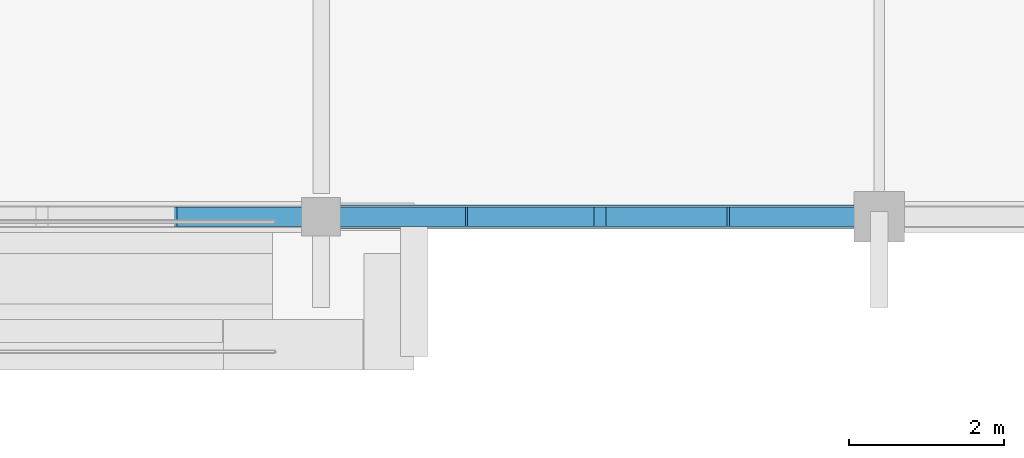
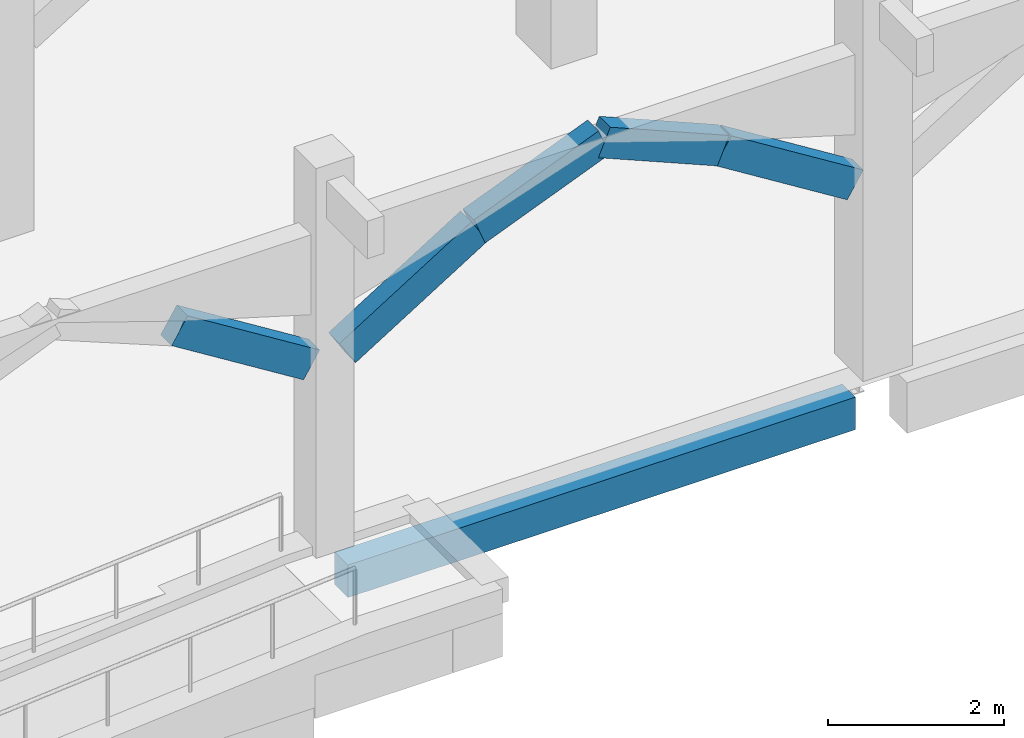
# One storey, part 27 of 110: 5 members, 1 beam.
"""IFC4 building model written with IfcOpenShell, lengths in metres."""

import ifcopenshell
import ifcopenshell.guid

model = None  # the IFC model being written
_history = None  # IfcOwnerHistory: only IFC2X3 demands one
_inside = {}  # id of a spatial element -> (the spatial element, [elements in it])
_under = {}  # id of a project, library or spatial element -> (it, [spatial elements below it])
_declared = {}  # id of a project -> (the project, [libraries it declares])
_typed = {}  # id of a type object -> (the type object, [elements of that type])
_made_of = {}  # id of a material, layer set ... -> (it, [elements and type objects made of it])


def new_model(schema):
    """Start an empty IFC model of exactly this schema.

    Asked for "IFC4X3", IfcOpenShell would pick the latest addendum, in which some entities
    have other attributes; the version numbers below select the first issue.
    IFC2X3 requires an IfcOwnerHistory on every rooted entity: one is made here for all.
    """
    global model, _history
    if schema == "IFC4X3":
        model = ifcopenshell.file(schema_version=(4, 3, 0, 0))
    else:
        model = ifcopenshell.file(schema=schema)
    _inside.clear()
    _under.clear()
    _declared.clear()
    _typed.clear()
    _made_of.clear()
    _history = None
    if model.schema == "IFC2X3":
        org = make("IfcOrganization", Name="unknown")
        user = make(
            "IfcPersonAndOrganization",
            ThePerson=make("IfcPerson", FamilyName="unknown"),
            TheOrganization=org,
        )
        app = make(
            "IfcApplication",
            ApplicationDeveloper=org,
            Version="unknown",
            ApplicationFullName="unknown",
            ApplicationIdentifier="unknown",
        )
        _history = make(
            "IfcOwnerHistory",
            OwningUser=user,
            OwningApplication=app,
            ChangeAction="ADDED",
            CreationDate=0,
        )
    return model


def make(cls, **values):
    """One entity of the class cls with the attributes given. An attribute that is None is left unset."""
    return model.create_entity(
        cls, **{name: value for name, value in values.items() if value is not None}
    )


def rooted(cls, **values):
    """An entity with a GlobalId (a new one), such as an element, a storey or a relation."""
    return make(cls, GlobalId=ifcopenshell.guid.new(), OwnerHistory=_history, **values)


def si_unit(unit_type, name, prefix=None):
    """IfcSIUnit, for example si_unit("LENGTHUNIT", "METRE", prefix="MILLI")."""
    return make("IfcSIUnit", UnitType=unit_type, Prefix=prefix, Name=name)


def assignment(units):
    """IfcUnitAssignment: the units of a project."""
    return None if units is None else make("IfcUnitAssignment", Units=units)


def point(xyz):
    """IfcCartesianPoint."""
    return None if xyz is None else make("IfcCartesianPoint", Coordinates=xyz)


def direction(xyz):
    """IfcDirection."""
    return None if xyz is None else make("IfcDirection", DirectionRatios=xyz)


def frame(location, z_axis=None, x_axis=None):
    """IfcAxis2Placement3D, a coordinate frame: its origin and axes. An axis left out is left unset."""
    return make(
        "IfcAxis2Placement3D",
        Location=point(location),
        Axis=direction(z_axis),
        RefDirection=direction(x_axis),
    )


def frame_2d(location, x_axis=None):
    """IfcAxis2Placement2D, a coordinate frame in the plane: its origin and x axis."""
    return make(
        "IfcAxis2Placement2D", Location=point(location), RefDirection=direction(x_axis)
    )


def origin():
    """The frame at (0, 0, 0) with its axes left unset."""
    return frame((0.0, 0.0, 0.0))


def origin_2d():
    """The frame at (0, 0) in the plane with its x axis left unset."""
    return frame_2d((0.0, 0.0))


def place(relative_to, where):
    """IfcLocalPlacement: puts the frame where relative to a parent placement (None: the world)."""
    return make(
        "IfcLocalPlacement", PlacementRelTo=relative_to, RelativePlacement=where
    )


def context(
    kind, dimensions, precision=None, world=None, true_north=None, identifier=None
):
    """IfcGeometricRepresentationContext, for example the 3D "Model" context."""
    return make(
        "IfcGeometricRepresentationContext",
        ContextIdentifier=identifier,
        ContextType=kind,
        CoordinateSpaceDimension=dimensions,
        Precision=precision,
        WorldCoordinateSystem=world,
        TrueNorth=true_north,
    )


def subcontext(parent, identifier, kind, view, scale=None):
    """IfcGeometricRepresentationSubContext, for example "Body" below "Model"."""
    return make(
        "IfcGeometricRepresentationSubContext",
        ContextIdentifier=identifier,
        ContextType=kind,
        ParentContext=parent,
        TargetScale=scale,
        TargetView=view,
    )


def project(units=None, contexts=None):
    """IfcProject with its units and contexts."""
    return rooted(
        "IfcProject",
        Name="project",
        RepresentationContexts=contexts,
        UnitsInContext=assignment(units),
    )


def spatial(cls, under=None, at=None, **own):
    """A site, building, storey or space (cls), placed at a placement, below another one or the project."""
    s = rooted(cls, ObjectPlacement=at, **own)
    if under is not None:
        _under.setdefault(under.id(), (under, []))[1].append(s)
    return s


def profile(cls, at=None, kind="AREA", **sizes):
    """A parametric profile (cls). Its sizes go by their IFC names, for example OverallWidth=200.0."""
    return make(cls, ProfileType=kind, Position=at, **sizes)


def rectangle(**sizes):
    """IfcRectangleProfileDef."""
    return profile("IfcRectangleProfileDef", **sizes)


def extrude(swept, where, along, depth):
    """IfcExtrudedAreaSolid: the profile swept, set in the frame where, extruded along a direction by depth."""
    return make(
        "IfcExtrudedAreaSolid",
        SweptArea=swept,
        Position=where,
        ExtrudedDirection=direction(along),
        Depth=depth,
    )


def shape(context_of_items, identifier, shape_type, items):
    """IfcShapeRepresentation: the items that make up one representation, for example the "Body"."""
    return make(
        "IfcShapeRepresentation",
        ContextOfItems=context_of_items,
        RepresentationIdentifier=identifier,
        RepresentationType=shape_type,
        Items=items,
    )


def material(Name=None, Category=None):
    """IfcMaterial."""
    return make("IfcMaterial", Name=Name, Category=Category)


def material_profile(
    of_material, cross_section, Name=None, Category=None, Priority=None
):
    """IfcMaterialProfile: a cross section and its material."""
    return make(
        "IfcMaterialProfile",
        Name=Name,
        Material=of_material,
        Profile=cross_section,
        Priority=Priority,
        Category=Category,
    )


def profile_set(profiles, Name=None, composite=None):
    """IfcMaterialProfileSet."""
    return make(
        "IfcMaterialProfileSet",
        Name=Name,
        MaterialProfiles=profiles,
        CompositeProfile=composite,
    )


def made_of(thing, what):
    """Note that an element or type object is made of a material, layer set ...; save() writes the relation."""
    if what is not None:
        _made_of.setdefault(what.id(), (what, []))[1].append(thing)
    return thing


def type_object(cls, material=None, **own):
    """A type object (cls), such as IfcWallType, which elements share."""
    return made_of(rooted(cls, **own), material)


def element(
    cls,
    number,
    at=None,
    inside=None,
    cuts=None,
    type_object=None,
    material=None,
    context=None,
    identifier="Body",
    shape_type=None,
    held_by="IfcProductDefinitionShape",
    body=None,
    shapes=None,
    **own,
):
    """One element of the class cls, such as IfcWall. Its Tag is "e" and its number.

    at: its placement. inside: the storey or other place that contains it. cuts: it is an
    opening in that element (IfcRelVoidsElement). A single representation is given by context,
    identifier, shape_type and body (its items); several are given by shapes. held_by: the class
    of the entity that holds the representations. save() writes the other relations.
    """
    e = rooted(cls, Tag="e%d" % number, ObjectPlacement=at, **own)
    if body is not None:
        shapes = [shape(context, identifier, shape_type, body)]
    if shapes is not None:
        e.Representation = make(held_by, Representations=shapes)
    if inside is not None:
        _inside.setdefault(inside.id(), (inside, []))[1].append(e)
    if cuts is not None:
        rooted(
            "IfcRelVoidsElement", RelatingBuildingElement=cuts, RelatedOpeningElement=e
        )
    if type_object is not None:
        _typed.setdefault(type_object.id(), (type_object, []))[1].append(e)
    return made_of(e, material)


def aggregate(whole, parts):
    """IfcRelAggregates: a whole, such as a stair, and the parts it consists of."""
    return rooted("IfcRelAggregates", RelatingObject=whole, RelatedObjects=parts)


def save(model, path):
    """Write the relations noted so far, then the file.

    IfcRelAggregates (storeys below a building ...), IfcRelContainedInSpatialStructure (elements
    in a storey), IfcRelDefinesByType, IfcRelAssociatesMaterial and IfcRelDeclares: one each for
    every whole, place, type object, material and project.
    """
    for whole, parts in _under.values():
        aggregate(whole, parts)
    for where, things in _inside.values():
        rooted(
            "IfcRelContainedInSpatialStructure",
            RelatedElements=things,
            RelatingStructure=where,
        )
    for kind, things in _typed.values():
        rooted("IfcRelDefinesByType", RelatedObjects=things, RelatingType=kind)
    for what, things in _made_of.values():
        rooted("IfcRelAssociatesMaterial", RelatedObjects=things, RelatingMaterial=what)
    for by, libraries in _declared.values():
        rooted("IfcRelDeclares", RelatingContext=by, RelatedDefinitions=libraries)
    model.write(path)


model = new_model("IFC4")

# Units and contexts
model_context = context("Model", 3, precision=1e-05, world=origin(), true_north=direction((0.0, 1.0)))
body_context = subcontext(model_context, "Body", "Model", "MODEL_VIEW")
ifc_project = project(units=[si_unit("LENGTHUNIT", "METRE"), si_unit("AREAUNIT", "SQUARE_METRE"), si_unit("VOLUMEUNIT", "CUBIC_METRE"), si_unit("PLANEANGLEUNIT", "RADIAN"), si_unit("MASSUNIT", "GRAM", prefix="KILO")], contexts=[model_context])

# Site, building, storey
site_placement = place(None, origin())
site = spatial("IfcSite", under=ifc_project, at=site_placement, CompositionType="ELEMENT")
building_placement = place(site_placement, origin())
building = spatial("IfcBuilding", under=site, at=building_placement, Name="Kalluvel Institute of Natural Sciences", CompositionType="ELEMENT")
storey_placement = place(building_placement, origin())
storey = spatial("IfcBuildingStorey", under=building, at=storey_placement, Name="L00", CompositionType="ELEMENT", Elevation=0.0)

# Members
ifc_material_1 = material(Name="Sadarahalli Granite Precast Concrete M45", Category="masonry")
ifc_material_profile_1 = material_profile(ifc_material_1, rectangle(XDim=0.25, YDim=0.39990234375, at=origin_2d()), Name="RCB 250x400")
ifc_profile_set_1 = profile_set([ifc_material_profile_1], Name="Sadarahalli Granite Precast Concrete M45")
member_type = type_object("IfcMemberType", Name="MB-CL-ARCH250", PredefinedType="USERDEFINED", material=ifc_profile_set_1)
for number, where, z_axis, x_axis, name in (
    (1, (84.03466796875, 28.39990234375, 3.679931640625), (0.848341098121, 0.0, -0.52945007436), (0.0, 1.0, 0.0), "Gothic cloister pointed-lancet arch segment 56"),
    (2, (86.235107421875, 28.39990234375, 2.60009765625), (0.848341098121, 0.0, 0.52945007436), (0.0, 1.0, 0.0), "Gothic cloister pointed-lancet arch segment 61"),
):
    element("IfcMember", number, at=place(storey_placement, frame(where, z_axis=z_axis, x_axis=x_axis)), inside=storey, type_object=member_type, Name=name, ObjectType="ARCH_SEGMENT", PredefinedType="USERDEFINED", context=body_context, shape_type="SweptSolid", body=[
        extrude(rectangle(XDim=0.25, YDim=0.39990234375, at=origin_2d()), origin(), (0.0, 0.0, 1.0), 2.03955078125),
    ])
member_1_placement = place(storey_placement, frame((87.96533203125, 28.39990234375, 3.679931640625), z_axis=(0.927249234166, 0.0, 0.374444732555), x_axis=(0.0, 1.0, 0.0)))
element("IfcMember", 3, at=member_1_placement, inside=storey, type_object=member_type, Name="Gothic cloister pointed-lancet arch segment 62", ObjectType="ARCH_SEGMENT", PredefinedType="USERDEFINED", context=body_context, shape_type="SweptSolid", body=[
    extrude(rectangle(XDim=0.25, YDim=0.39990234375, at=origin_2d()), origin(), (0.0, 0.0, 1.0), 1.762939453125),
])
member_2_placement = place(storey_placement, frame((89.60009765625, 28.39990234375, 4.340087890625), z_axis=(0.920895607584, 0.0, -0.389809286617), x_axis=(0.0, 1.0, 0.0)))
element("IfcMember", 4, at=member_2_placement, inside=storey, type_object=member_type, Name="Gothic cloister pointed-lancet arch segment 63", ObjectType="ARCH_SEGMENT", PredefinedType="USERDEFINED", context=body_context, shape_type="SweptSolid", body=[
    extrude(rectangle(XDim=0.25, YDim=0.39990234375, at=origin_2d()), origin(), (0.0, 0.0, 1.0), 1.693603515625),
])
member_3_placement = place(storey_placement, frame((91.15966796875, 28.39990234375, 3.679931640625), z_axis=(0.848341098121, 0.0, -0.52945007436), x_axis=(0.0, 1.0, 0.0)))
element("IfcMember", 5, at=member_3_placement, inside=storey, type_object=member_type, Name="Gothic cloister pointed-lancet arch segment 64", ObjectType="ARCH_SEGMENT", PredefinedType="USERDEFINED", context=body_context, shape_type="SweptSolid", body=[
    extrude(rectangle(XDim=0.25, YDim=0.39990234375, at=origin_2d()), origin(), (0.0, 0.0, 1.0), 2.03955078125),
])

# Beam
ifc_material_2 = material(Name="Concrete M40", Category="concrete")
ifc_material_profile_2 = material_profile(ifc_material_2, rectangle(XDim=0.300048828125, YDim=0.449951171875, at=origin_2d()), Name="RCB 300x450")
ifc_profile_set_2 = profile_set([ifc_material_profile_2], Name="Concrete M40")
beam_type = type_object("IfcBeamType", Name="SP-RC300x450", PredefinedType="SPANDREL", material=ifc_profile_set_2)
beam_placement = place(storey_placement, frame((86.22509765625, 28.39990234375, -0.544921875), z_axis=(1.0, 0.0, 0.0), x_axis=(0.0, 1.0, 0.0)))
element("IfcBeam", 6, at=beam_placement, inside=storey, type_object=beam_type, Name="L00 girder GIR-L00-EW-X860-Y284", PredefinedType="SPANDREL", context=body_context, shape_type="SweptSolid", body=[
    extrude(rectangle(XDim=0.300048828125, YDim=0.449951171875, at=origin_2d()), origin(), (0.0, 0.0, 1.0), 6.64990234375),
])

save(model, "model.ifc")
